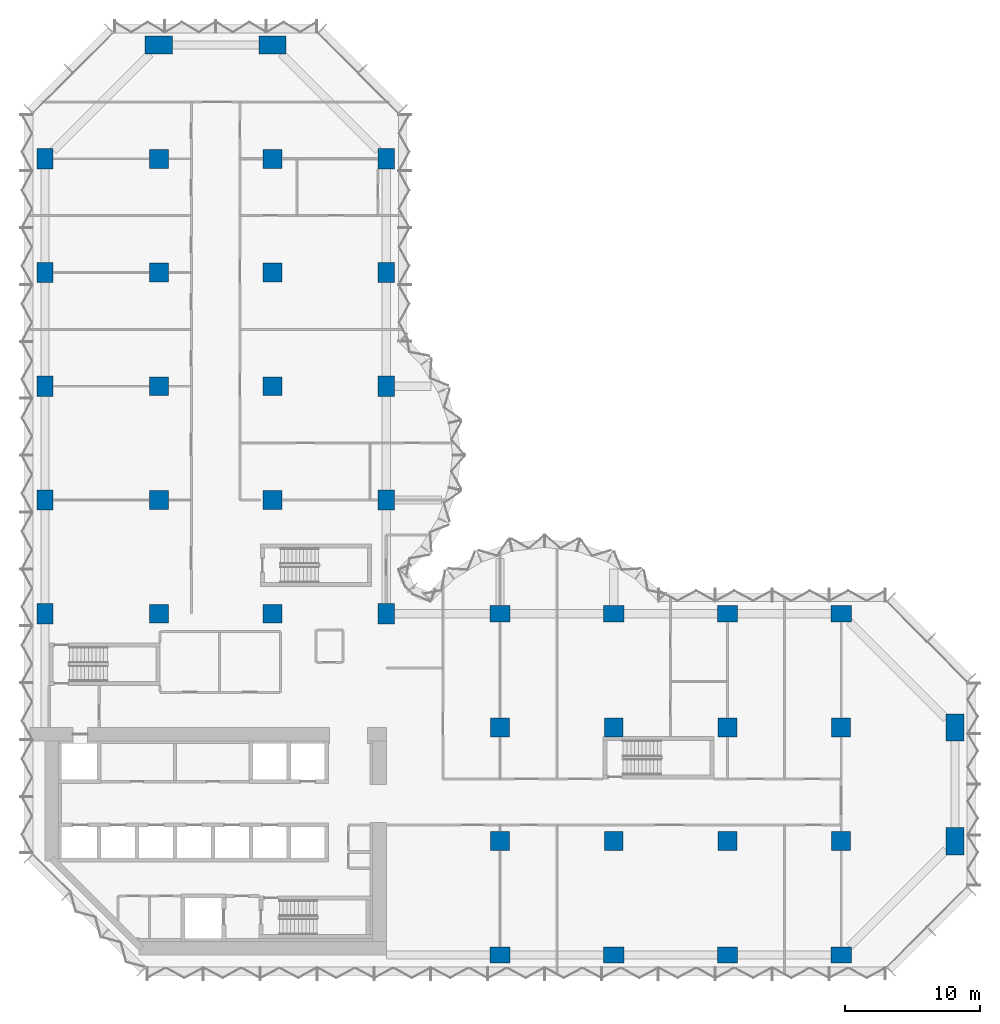
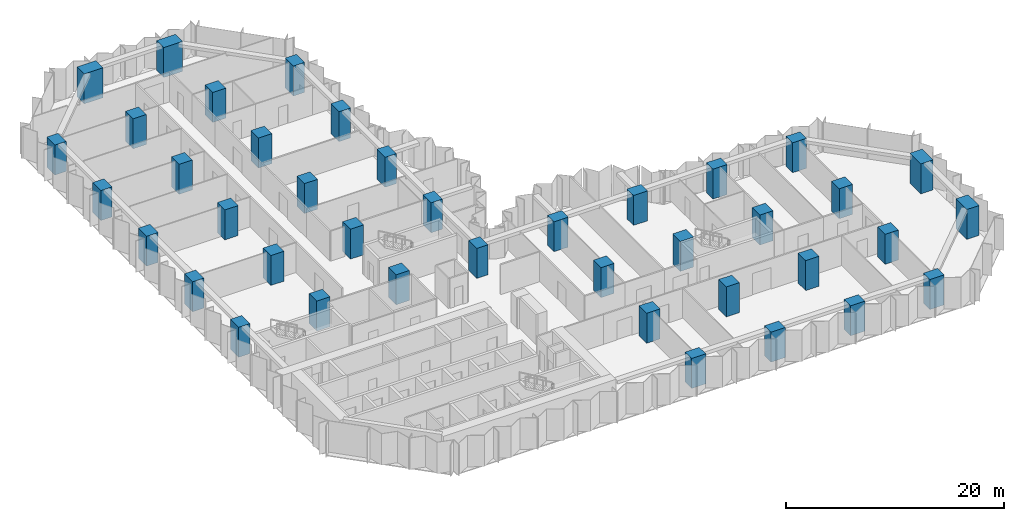
# One storey, part 1 of 15: 40 columns.
"""IFC4 building model written with IfcOpenShell, lengths in metres."""

from ifc_helpers import new_model, si_unit, direction, frame, origin, origin_2d, place, context, subcontext, project, spatial, rectangle, extrude, material, material_profile, profile_set, type_object, element, save


model = new_model("IFC4")

# Units and contexts
model_context = context("Model", 3, precision=1e-05, world=origin(), true_north=direction((0.0, 1.0)))
body_context = subcontext(model_context, "Body", "Model", "MODEL_VIEW")
ifc_project = project(units=[si_unit("LENGTHUNIT", "METRE"), si_unit("AREAUNIT", "SQUARE_METRE"), si_unit("VOLUMEUNIT", "CUBIC_METRE"), si_unit("PLANEANGLEUNIT", "RADIAN"), si_unit("MASSUNIT", "GRAM", prefix="KILO")], contexts=[model_context])

# Site, building, storey
site_placement = place(None, origin())
site = spatial("IfcSite", under=ifc_project, at=site_placement, CompositionType="ELEMENT")
building_placement = place(site_placement, origin())
building = spatial("IfcBuilding", under=site, at=building_placement, Name="Brevane Broadcast Tower", CompositionType="ELEMENT")
storey_placement = place(building_placement, frame((0.0, 0.0, 72.5)))
storey = spatial("IfcBuildingStorey", under=building, at=storey_placement, Name="L16", CompositionType="ELEMENT", Elevation=72.5)

# Columns
ifc_material = material(Name="Concrete C80/95", Category="concrete")
ifc_material_profile_1 = material_profile(ifc_material, rectangle(XDim=1.199951171875, YDim=1.5, at=origin_2d()), Name="RC 1200x1500")
ifc_profile_set_1 = profile_set([ifc_material_profile_1], Name="Concrete C80/95")
column_type_1 = type_object("IfcColumnType", Name="RC COLUMN EDGE 1200x1500 C80/95", PredefinedType="COLUMN", material=ifc_profile_set_1)
for number, where, z_axis, x_axis, name in (
    (1, (0.0, 25.199951171875, 0.0), (0.0, 0.0, 1.0), (1.0, 0.0, 0.0), "CE5 1/D"),
    (2, (0.0, 33.60009765625, 0.0), (0.0, 0.0, 1.0), (1.0, 0.0, 0.0), "CE5 1/E"),
    (3, (0.0, 42.0, 0.0), (0.0, 0.0, 1.0), (1.0, 0.0, 0.0), "CE5 1/F"),
    (4, (0.0, 50.39990234375, 0.0), (0.0, 0.0, 1.0), (1.0, 0.0, 0.0), "CE5 1/G"),
    (5, (0.0, 58.800048828125, 0.0), (0.0, 0.0, 1.0), (1.0, 0.0, 0.0), "CE5 1/H"),
    (6, (25.199951171875, 25.199951171875, 0.0), (0.0, 0.0, 1.0), (1.0, 0.0, 0.0), "CE5 4/D"),
    (7, (25.199951171875, 33.60009765625, 0.0), (0.0, 0.0, 1.0), (1.0, 0.0, 0.0), "CE5 4/E"),
    (8, (25.199951171875, 42.0, 0.0), (0.0, 0.0, 1.0), (1.0, 0.0, 0.0), "CE5 4/F"),
    (9, (25.199951171875, 50.39990234375, 0.0), (0.0, 0.0, 1.0), (1.0, 0.0, 0.0), "CE5 4/G"),
    (10, (25.199951171875, 58.800048828125, 0.0), (0.0, 0.0, 1.0), (1.0, 0.0, 0.0), "CE5 4/H"),
    (11, (33.60009765625, 0.0, 0.0), (0.0, 0.0, 1.0), (0.0, 1.0, 0.0), "CE5 5/A"),
    (12, (33.60009765625, 25.199951171875, 0.0), (0.0, 0.0, 1.0), (0.0, 1.0, 0.0), "CE5 5/D"),
    (13, (42.0, 0.0, 0.0), (0.0, 0.0, 1.0), (0.0, 1.0, 0.0), "CE5 6/A"),
    (14, (42.0, 25.199951171875, 0.0), (0.0, 0.0, 1.0), (0.0, 1.0, 0.0), "CE5 6/D"),
    (15, (50.39990234375, 0.0, 0.0), (0.0, 0.0, 1.0), (0.0, 1.0, 0.0), "CE5 7/A"),
    (16, (50.39990234375, 25.199951171875, 0.0), (0.0, 0.0, 1.0), (0.0, 1.0, 0.0), "CE5 7/D"),
    (17, (58.800048828125, 0.0, 0.0), (0.0, 0.0, 1.0), (0.0, 1.0, 0.0), "CE5 8/A"),
    (18, (58.800048828125, 25.199951171875, 0.0), (0.0, 0.0, 1.0), (0.0, 1.0, 0.0), "CE5 8/D"),
):
    element("IfcColumn", number, at=place(storey_placement, frame(where, z_axis=z_axis, x_axis=x_axis)), inside=storey, type_object=column_type_1, Name=name, PredefinedType="COLUMN", context=body_context, shape_type="SweptSolid", body=[
        extrude(rectangle(XDim=1.199951171875, YDim=1.5, at=origin_2d()), origin(), (0.0, 0.0, 1.0), 3.35009765625),
    ])
ifc_material_profile_2 = material_profile(ifc_material, rectangle(XDim=1.39990234375, YDim=1.39990234375, at=origin_2d()), Name="RC 1400x1400")
ifc_profile_set_2 = profile_set([ifc_material_profile_2], Name="Concrete C80/95")
column_type_2 = type_object("IfcColumnType", Name="RC COLUMN INTERIOR 1400x1400 C80/95", PredefinedType="COLUMN", material=ifc_profile_set_2)
for number, where, z_axis, x_axis, name in (
    (19, (8.39990234375, 25.199951171875, 0.0), (0.0, 0.0, 1.0), (1.0, 0.0, 0.0), "CI6 2/D"),
    (20, (8.39990234375, 33.60009765625, 0.0), (0.0, 0.0, 1.0), (1.0, 0.0, 0.0), "CI6 2/E"),
    (21, (8.39990234375, 42.0, 0.0), (0.0, 0.0, 1.0), (1.0, 0.0, 0.0), "CI6 2/F"),
    (22, (8.39990234375, 50.39990234375, 0.0), (0.0, 0.0, 1.0), (1.0, 0.0, 0.0), "CI6 2/G"),
    (23, (8.39990234375, 58.800048828125, 0.0), (0.0, 0.0, 1.0), (1.0, 0.0, 0.0), "CI6 2/H"),
    (24, (16.800048828125, 25.199951171875, 0.0), (0.0, 0.0, 1.0), (1.0, 0.0, 0.0), "CI6 3/D"),
    (25, (16.800048828125, 33.60009765625, 0.0), (0.0, 0.0, 1.0), (1.0, 0.0, 0.0), "CI6 3/E"),
    (26, (16.800048828125, 42.0, 0.0), (0.0, 0.0, 1.0), (1.0, 0.0, 0.0), "CI6 3/F"),
    (27, (16.800048828125, 50.39990234375, 0.0), (0.0, 0.0, 1.0), (1.0, 0.0, 0.0), "CI6 3/G"),
    (28, (16.800048828125, 58.800048828125, 0.0), (0.0, 0.0, 1.0), (1.0, 0.0, 0.0), "CI6 3/H"),
    (29, (33.60009765625, 8.39990234375, 0.0), (0.0, 0.0, 1.0), (1.0, 0.0, 0.0), "CI6 5/B"),
    (30, (33.60009765625, 16.800048828125, 0.0), (0.0, 0.0, 1.0), (1.0, 0.0, 0.0), "CI6 5/C"),
    (31, (42.0, 8.39990234375, 0.0), (0.0, 0.0, 1.0), (1.0, 0.0, 0.0), "CI6 6/B"),
    (32, (42.0, 16.800048828125, 0.0), (0.0, 0.0, 1.0), (1.0, 0.0, 0.0), "CI6 6/C"),
    (33, (50.39990234375, 8.39990234375, 0.0), (0.0, 0.0, 1.0), (1.0, 0.0, 0.0), "CI6 7/B"),
    (34, (50.39990234375, 16.800048828125, 0.0), (0.0, 0.0, 1.0), (1.0, 0.0, 0.0), "CI6 7/C"),
    (35, (58.800048828125, 8.39990234375, 0.0), (0.0, 0.0, 1.0), (1.0, 0.0, 0.0), "CI6 8/B"),
    (36, (58.800048828125, 16.800048828125, 0.0), (0.0, 0.0, 1.0), (1.0, 0.0, 0.0), "CI6 8/C"),
):
    element("IfcColumn", number, at=place(storey_placement, frame(where, z_axis=z_axis, x_axis=x_axis)), inside=storey, type_object=column_type_2, Name=name, PredefinedType="COLUMN", context=body_context, shape_type="SweptSolid", body=[
        extrude(rectangle(XDim=1.39990234375, YDim=1.39990234375, at=origin_2d()), origin(), (0.0, 0.0, 1.0), 3.35009765625),
    ])
ifc_material_profile_3 = material_profile(ifc_material, rectangle(XDim=1.300048828125, YDim=2.0, at=origin_2d()), Name="RC 1300x2000")
ifc_profile_set_3 = profile_set([ifc_material_profile_3], Name="Concrete C80/95")
column_type_3 = type_object("IfcColumnType", Name="RC COLUMN WING-END 1300x2000 C80/95", PredefinedType="COLUMN", material=ifc_profile_set_3)
for number, where, z_axis, x_axis, name in (
    (37, (8.39990234375, 67.199951171875, 0.0), (0.0, 0.0, 1.0), (0.0, 1.0, 0.0), "CW7 2/I"),
    (38, (16.800048828125, 67.199951171875, 0.0), (0.0, 0.0, 1.0), (0.0, 1.0, 0.0), "CW7 3/I"),
    (39, (67.199951171875, 8.39990234375, 0.0), (0.0, 0.0, 1.0), (1.0, 0.0, 0.0), "CW7 9/B"),
    (40, (67.199951171875, 16.800048828125, 0.0), (0.0, 0.0, 1.0), (1.0, 0.0, 0.0), "CW7 9/C"),
):
    element("IfcColumn", number, at=place(storey_placement, frame(where, z_axis=z_axis, x_axis=x_axis)), inside=storey, type_object=column_type_3, Name=name, PredefinedType="COLUMN", context=body_context, shape_type="SweptSolid", body=[
        extrude(rectangle(XDim=1.300048828125, YDim=2.0, at=origin_2d()), origin(), (0.0, 0.0, 1.0), 3.35009765625),
    ])

save(model, "model.ifc")
